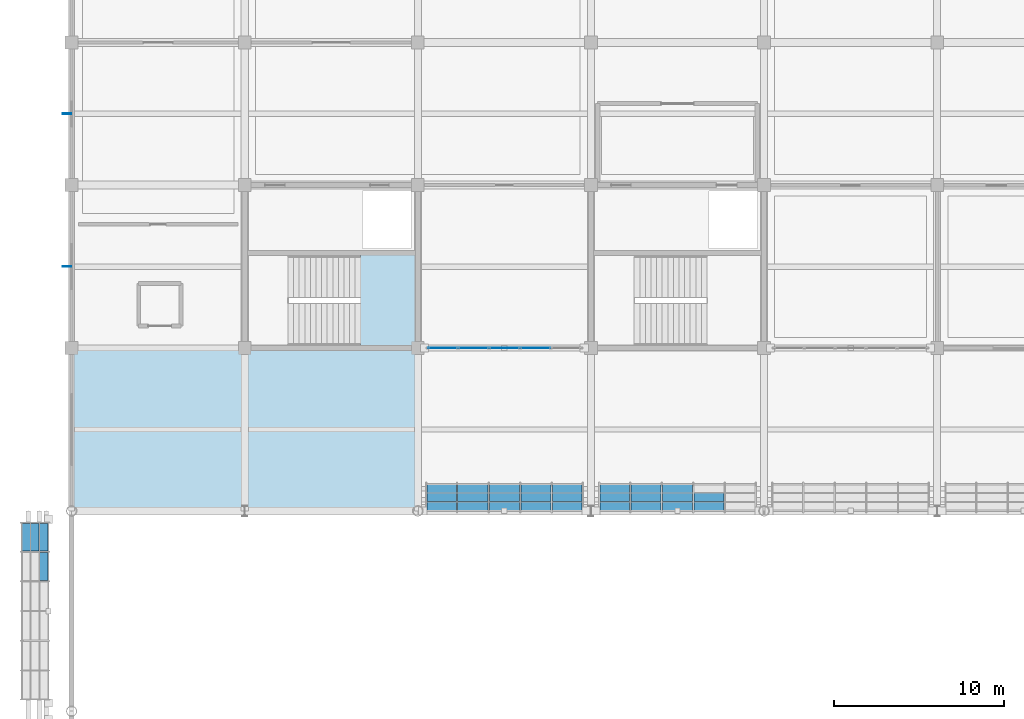
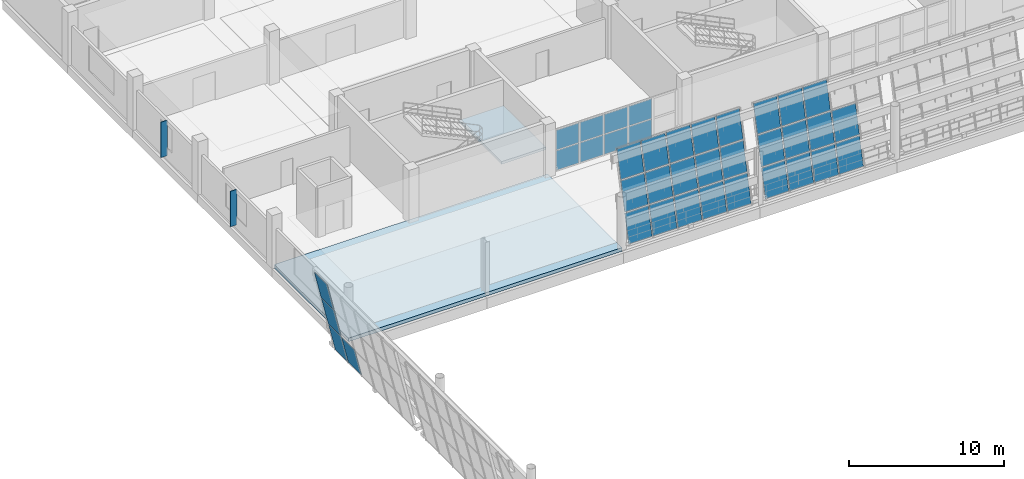
# One storey, part 106 of 157: 40 plates, 2 slabs, 5 elements without a shape of their own.
"""IFC4 building model written with IfcOpenShell, lengths in metres."""

from ifc_helpers import new_model, si_unit, direction, frame, origin, origin_2d, place, context, subcontext, project, spatial, polyline, rectangle, outline, extrude, material, layer, layer_set, type_object, element, aggregate, save


model = new_model("IFC4")

# Units and contexts
model_context = context("Model", 3, precision=1e-05, world=origin(), true_north=direction((0.0, 1.0)))
body_context = subcontext(model_context, "Body", "Model", "MODEL_VIEW")
ifc_project = project(units=[si_unit("LENGTHUNIT", "METRE"), si_unit("AREAUNIT", "SQUARE_METRE"), si_unit("VOLUMEUNIT", "CUBIC_METRE"), si_unit("PLANEANGLEUNIT", "RADIAN"), si_unit("MASSUNIT", "GRAM", prefix="KILO")], contexts=[model_context])

# Site, building, storey
site_placement = place(None, origin())
site = spatial("IfcSite", under=ifc_project, at=site_placement, CompositionType="ELEMENT")
building_placement = place(site_placement, origin())
building = spatial("IfcBuilding", under=site, at=building_placement, Name="Brelvane Convention Centre", CompositionType="ELEMENT")
storey_placement = place(building_placement, frame((0.0, 0.0, 10.800048828125)))
storey = spatial("IfcBuildingStorey", under=building, at=storey_placement, Name="L02", CompositionType="ELEMENT", Elevation=10.800048828125)

# Curtain wall, plates
ifc_material_1 = material(Name="Anodised Aluminium Alloy 6063-T6", Category="aluminium")
curtain_wall_type_1 = type_object("IfcCurtainWallType", Name="Curtain Wall CW-COURT", PredefinedType="USERDEFINED", material=ifc_material_1)
curtain_wall_1_placement = place(storey_placement, origin())
curtain_wall_1 = element("IfcCurtainWall", 1, at=curtain_wall_1_placement, inside=storey, type_object=curtain_wall_type_1, Name="Curtain Wall CW-COURT L02-V4S-03", ObjectType="UNITISED", PredefinedType="USERDEFINED")
ifc_material_2 = material(Name="Double Glazed Low-E Laminated Unit")
ifc_layer_1 = layer(ifc_material_2, 0.031982421875)
ifc_layer_set_1 = layer_set([ifc_layer_1], Name="Double Glazed Low-E Laminated Unit")
plate_type_1 = type_object("IfcPlateType", Name="Curtain Panel CW-PG1", PredefinedType="CURTAIN_PANEL", material=ifc_layer_set_1)
plate_1_placement = place(storey_placement, frame((21.878662109375, 109.199951171875, 0.070068359375), z_axis=(0.0, 0.0, 1.0), x_axis=(1.0, 0.0, 0.0)))
plate_1 = element("IfcPlate", 2, at=plate_1_placement, type_object=plate_type_1, Name="CW-COURT panel 1.1", PredefinedType="CURTAIN_PANEL", context=body_context, shape_type="SweptSolid", body=[
    extrude(rectangle(XDim=1.70751953125, YDim=0.031982421875, at=origin_2d()), origin(), (0.0, 0.0, 1.0), 1.544921875),
])
plate_2_placement = place(storey_placement, frame((21.878662109375, 109.199951171875, 1.68505859375), z_axis=(0.0, 0.0, 1.0), x_axis=(1.0, 0.0, 0.0)))
plate_2 = element("IfcPlate", 3, at=plate_2_placement, type_object=plate_type_1, Name="CW-COURT panel 1.2", PredefinedType="CURTAIN_PANEL", context=body_context, shape_type="SweptSolid", body=[
    extrude(rectangle(XDim=1.70751953125, YDim=0.031982421875, at=origin_2d()), origin(), (0.0, 0.0, 1.0), 1.544921875),
])
plate_3_placement = place(storey_placement, frame((23.679931640625, 109.199951171875, 0.070068359375), z_axis=(0.0, 0.0, 1.0), x_axis=(1.0, 0.0, 0.0)))
plate_3 = element("IfcPlate", 4, at=plate_3_placement, type_object=plate_type_1, Name="CW-COURT panel 2.1", PredefinedType="CURTAIN_PANEL", context=body_context, shape_type="SweptSolid", body=[
    extrude(rectangle(XDim=1.7451171875, YDim=0.031982421875, at=origin_2d()), origin(), (0.0, 0.0, 1.0), 1.544921875),
])
plate_4_placement = place(storey_placement, frame((23.679931640625, 109.199951171875, 1.68505859375), z_axis=(0.0, 0.0, 1.0), x_axis=(1.0, 0.0, 0.0)))
plate_4 = element("IfcPlate", 5, at=plate_4_placement, type_object=plate_type_1, Name="CW-COURT panel 2.2", PredefinedType="CURTAIN_PANEL", context=body_context, shape_type="SweptSolid", body=[
    extrude(rectangle(XDim=1.7451171875, YDim=0.031982421875, at=origin_2d()), origin(), (0.0, 0.0, 1.0), 1.544921875),
])
plate_5_placement = place(storey_placement, frame((25.5, 109.199951171875, 0.070068359375), z_axis=(0.0, 0.0, 1.0), x_axis=(1.0, 0.0, 0.0)))
plate_5 = element("IfcPlate", 6, at=plate_5_placement, type_object=plate_type_1, Name="CW-COURT panel 3.1", PredefinedType="CURTAIN_PANEL", context=body_context, shape_type="SweptSolid", body=[
    extrude(rectangle(XDim=1.7451171875, YDim=0.031982421875, at=origin_2d()), origin(), (0.0, 0.0, 1.0), 1.544921875),
])
plate_6_placement = place(storey_placement, frame((25.5, 109.199951171875, 1.68505859375), z_axis=(0.0, 0.0, 1.0), x_axis=(1.0, 0.0, 0.0)))
plate_6 = element("IfcPlate", 7, at=plate_6_placement, type_object=plate_type_1, Name="CW-COURT panel 3.2", PredefinedType="CURTAIN_PANEL", context=body_context, shape_type="SweptSolid", body=[
    extrude(rectangle(XDim=1.7451171875, YDim=0.031982421875, at=origin_2d()), origin(), (0.0, 0.0, 1.0), 1.544921875),
])
plate_7_placement = place(storey_placement, frame((27.320068359375, 109.199951171875, 0.070068359375), z_axis=(0.0, 0.0, 1.0), x_axis=(1.0, 0.0, 0.0)))
plate_7 = element("IfcPlate", 8, at=plate_7_placement, type_object=plate_type_1, Name="CW-COURT panel 4.1", PredefinedType="CURTAIN_PANEL", context=body_context, shape_type="SweptSolid", body=[
    extrude(rectangle(XDim=1.7451171875, YDim=0.031982421875, at=origin_2d()), origin(), (0.0, 0.0, 1.0), 1.544921875),
])
plate_8_placement = place(storey_placement, frame((27.320068359375, 109.199951171875, 1.68505859375), z_axis=(0.0, 0.0, 1.0), x_axis=(1.0, 0.0, 0.0)))
plate_8 = element("IfcPlate", 9, at=plate_8_placement, type_object=plate_type_1, Name="CW-COURT panel 4.2", PredefinedType="CURTAIN_PANEL", context=body_context, shape_type="SweptSolid", body=[
    extrude(rectangle(XDim=1.7451171875, YDim=0.031982421875, at=origin_2d()), origin(), (0.0, 0.0, 1.0), 1.544921875),
])
aggregate(curtain_wall_1, [plate_1, plate_2, plate_3, plate_4, plate_5, plate_6, plate_7, plate_8])

ifc_material_3 = material(Name="Anodised Aluminium Alloy 6063-T6", Category="aluminium")
curtain_wall_type_2 = type_object("IfcCurtainWallType", Name="Curtain Wall CW-HULL-S", PredefinedType="USERDEFINED", material=ifc_material_3)
curtain_wall_2_placement = place(storey_placement, origin())
curtain_wall_2 = element("IfcCurtainWall", 10, at=curtain_wall_2_placement, inside=storey, type_object=curtain_wall_type_2, Name="Curtain Wall CW-HULL-S L02-HULL-W-L02-6", ObjectType="UNITISED", PredefinedType="USERDEFINED")
ifc_material_4 = material(Name="Double Glazed Low-E Laminated Unit")
ifc_layer_2 = layer(ifc_material_4, 0.0380859375)
ifc_layer_set_2 = layer_set([ifc_layer_2], Name="Double Glazed Low-E Laminated Unit")
plate_type_2 = type_object("IfcPlateType", Name="Curtain Panel CW-PG2", PredefinedType="CURTAIN_PANEL", material=ifc_layer_set_2)
plate_9_placement = place(storey_placement, frame((-1.89599609375, 97.237548828125, 2.284912109375), z_axis=(0.973585642401, 0.0, 0.228322134079), x_axis=(0.0, 1.0, 0.0)))
plate_9 = element("IfcPlate", 11, at=plate_9_placement, type_object=plate_type_2, Name="CW-HULL-S panel 6.2", PredefinedType="CURTAIN_PANEL", context=body_context, shape_type="SweptSolid", body=[
    extrude(outline(polyline([(0.0, 0.0), (1.637451171875, 0.0), (1.637451171875, 2.2390753783596367), (0.0, 2.2390753783596367), (0.0, 0.0)])), origin(), (0.0, 0.0, -1.0), 0.0380859375),
])
plate_10_placement = place(storey_placement, frame((-2.423583984375, 97.237548828125, 4.534912109375), z_axis=(0.973572440639, 0.0, 0.228378420232), x_axis=(0.0, 1.0, 0.0)))
plate_10 = element("IfcPlate", 12, at=plate_10_placement, type_object=plate_type_2, Name="CW-HULL-S panel 6.3", PredefinedType="CURTAIN_PANEL", context=body_context, shape_type="SweptSolid", body=[
    extrude(outline(polyline([(0.0, 0.0), (1.637451171875, 0.0), (1.637451171875, 2.203245944227275), (0.0, 2.203245944227275), (0.0, 0.0)])), origin(), (0.0, 0.0, -1.0), 0.0380859375),
])

ifc_material_5 = material(Name="Anodised Aluminium Alloy 6063-T6", Category="aluminium")
curtain_wall_type_3 = type_object("IfcCurtainWallType", Name="Curtain Wall CW-HULL-N", PredefinedType="USERDEFINED", material=ifc_material_5)
curtain_wall_3_placement = place(storey_placement, origin())
curtain_wall_3 = element("IfcCurtainWall", 13, at=curtain_wall_3_placement, inside=storey, type_object=curtain_wall_type_3, Name="Curtain Wall CW-HULL-N L02-V1N-HULL-03", ObjectType="UNITISED", PredefinedType="USERDEFINED")
plate_11_placement = place(storey_placement, frame((20.929931640625, 100.13720703125, 2.2900390625), z_axis=(0.0, -0.973595011737, 0.22828217872), x_axis=(1.0, 0.0, 0.0)))
plate_11 = element("IfcPlate", 14, at=plate_11_placement, type_object=plate_type_2, Name="CW-HULL-N panel 1.2", PredefinedType="CURTAIN_PANEL", context=body_context, shape_type="SweptSolid", body=[
    extrude(outline(polyline([(0.0, 0.0), (1.739990234375, 0.0), (1.739990234375, 2.2287725890550485), (0.0, 2.2287725890550485), (0.0, 0.0)])), origin(), (0.0, 0.0, -1.0), 0.0380859375),
])
plate_12_placement = place(storey_placement, frame((20.929931640625, 100.664794921875, 4.5400390625), z_axis=(0.0, -0.973558945432, 0.228435942377), x_axis=(1.0, 0.0, 0.0)))
plate_12 = element("IfcPlate", 15, at=plate_12_placement, type_object=plate_type_2, Name="CW-HULL-N panel 1.3", PredefinedType="CURTAIN_PANEL", context=body_context, shape_type="SweptSolid", body=[
    extrude(outline(polyline([(0.0, 0.0), (1.739990234375, 0.0), (1.739990234375, 2.18772866552563), (0.0, 2.18772866552563), (0.0, 0.0)])), origin(), (0.0, 0.0, -1.0), 0.0380859375),
])
plate_13_placement = place(storey_placement, frame((22.75, 100.13720703125, 2.2900390625), z_axis=(0.0, -0.973595011737, 0.22828217872), x_axis=(1.0, 0.0, 0.0)))
plate_13 = element("IfcPlate", 16, at=plate_13_placement, type_object=plate_type_2, Name="CW-HULL-N panel 2.2", PredefinedType="CURTAIN_PANEL", context=body_context, shape_type="SweptSolid", body=[
    extrude(outline(polyline([(0.0, 0.0), (1.780029296875, 0.0), (1.780029296875, 2.2287725890550485), (0.0, 2.2287725890550485), (0.0, 0.0)])), origin(), (0.0, 0.0, -1.0), 0.0380859375),
])
plate_14_placement = place(storey_placement, frame((22.75, 100.664794921875, 4.5400390625), z_axis=(0.0, -0.973558945432, 0.228435942377), x_axis=(1.0, 0.0, 0.0)))
plate_14 = element("IfcPlate", 17, at=plate_14_placement, type_object=plate_type_2, Name="CW-HULL-N panel 2.3", PredefinedType="CURTAIN_PANEL", context=body_context, shape_type="SweptSolid", body=[
    extrude(outline(polyline([(0.0, 0.0), (1.780029296875, 0.0), (1.780029296875, 2.18772866552563), (0.0, 2.18772866552563), (0.0, 0.0)])), origin(), (0.0, 0.0, -1.0), 0.0380859375),
])
plate_15_placement = place(storey_placement, frame((24.610107421875, 100.13720703125, 2.2900390625), z_axis=(0.0, -0.973595011737, 0.22828217872), x_axis=(1.0, 0.0, 0.0)))
plate_15 = element("IfcPlate", 18, at=plate_15_placement, type_object=plate_type_2, Name="CW-HULL-N panel 3.2", PredefinedType="CURTAIN_PANEL", context=body_context, shape_type="SweptSolid", body=[
    extrude(outline(polyline([(0.0, 0.0), (1.77978515625, 0.0), (1.77978515625, 2.2287725890550485), (0.0, 2.2287725890550485), (0.0, 0.0)])), origin(), (0.0, 0.0, -1.0), 0.0380859375),
])
plate_16_placement = place(storey_placement, frame((24.610107421875, 100.664794921875, 4.5400390625), z_axis=(0.0, -0.973558945432, 0.228435942377), x_axis=(1.0, 0.0, 0.0)))
plate_16 = element("IfcPlate", 19, at=plate_16_placement, type_object=plate_type_2, Name="CW-HULL-N panel 3.3", PredefinedType="CURTAIN_PANEL", context=body_context, shape_type="SweptSolid", body=[
    extrude(outline(polyline([(0.0, 0.0), (1.77978515625, 0.0), (1.77978515625, 2.18772866552563), (0.0, 2.18772866552563), (0.0, 0.0)])), origin(), (0.0, 0.0, -1.0), 0.0380859375),
])
plate_17_placement = place(storey_placement, frame((26.469970703125, 100.13720703125, 2.2900390625), z_axis=(0.0, -0.973595011737, 0.22828217872), x_axis=(1.0, 0.0, 0.0)))
plate_17 = element("IfcPlate", 20, at=plate_17_placement, type_object=plate_type_2, Name="CW-HULL-N panel 4.2", PredefinedType="CURTAIN_PANEL", context=body_context, shape_type="SweptSolid", body=[
    extrude(outline(polyline([(0.0, 0.0), (1.780029296875, 0.0), (1.780029296875, 2.2287725890550485), (0.0, 2.2287725890550485), (0.0, 0.0)])), origin(), (0.0, 0.0, -1.0), 0.0380859375),
])
plate_18_placement = place(storey_placement, frame((26.469970703125, 100.664794921875, 4.5400390625), z_axis=(0.0, -0.973558945432, 0.228435942377), x_axis=(1.0, 0.0, 0.0)))
plate_18 = element("IfcPlate", 21, at=plate_18_placement, type_object=plate_type_2, Name="CW-HULL-N panel 4.3", PredefinedType="CURTAIN_PANEL", context=body_context, shape_type="SweptSolid", body=[
    extrude(outline(polyline([(0.0, 0.0), (1.780029296875, 0.0), (1.780029296875, 2.18772866552563), (0.0, 2.18772866552563), (0.0, 0.0)])), origin(), (0.0, 0.0, -1.0), 0.0380859375),
])
plate_19_placement = place(storey_placement, frame((28.330078125, 100.13720703125, 2.2900390625), z_axis=(0.0, -0.973595011737, 0.22828217872), x_axis=(1.0, 0.0, 0.0)))
plate_19 = element("IfcPlate", 22, at=plate_19_placement, type_object=plate_type_2, Name="CW-HULL-N panel 5.2", PredefinedType="CURTAIN_PANEL", context=body_context, shape_type="SweptSolid", body=[
    extrude(outline(polyline([(0.0, 0.0), (1.739990234375, 0.0), (1.739990234375, 2.2287725890550485), (0.0, 2.2287725890550485), (0.0, 0.0)])), origin(), (0.0, 0.0, -1.0), 0.0380859375),
])
plate_20_placement = place(storey_placement, frame((28.330078125, 100.664794921875, 4.5400390625), z_axis=(0.0, -0.973558945432, 0.228435942377), x_axis=(1.0, 0.0, 0.0)))
plate_20 = element("IfcPlate", 23, at=plate_20_placement, type_object=plate_type_2, Name="CW-HULL-N panel 5.3", PredefinedType="CURTAIN_PANEL", context=body_context, shape_type="SweptSolid", body=[
    extrude(outline(polyline([(0.0, 0.0), (1.739990234375, 0.0), (1.739990234375, 2.18772866552563), (0.0, 2.18772866552563), (0.0, 0.0)])), origin(), (0.0, 0.0, -1.0), 0.0380859375),
])

curtain_wall_4_placement = place(storey_placement, origin())
curtain_wall_4 = element("IfcCurtainWall", 24, at=curtain_wall_4_placement, inside=storey, type_object=curtain_wall_type_3, Name="Curtain Wall CW-HULL-N L02-V1N-HULL-04", ObjectType="UNITISED", PredefinedType="USERDEFINED")
plate_21_placement = place(storey_placement, frame((31.1298828125, 100.13720703125, 2.2900390625), z_axis=(0.0, -0.973595011737, 0.22828217872), x_axis=(1.0, 0.0, 0.0)))
plate_21 = element("IfcPlate", 25, at=plate_21_placement, type_object=plate_type_2, Name="CW-HULL-N panel 1.2", PredefinedType="CURTAIN_PANEL", context=body_context, shape_type="SweptSolid", body=[
    extrude(outline(polyline([(0.0, 0.0), (1.740234375, 0.0), (1.740234375, 2.2287725890550485), (0.0, 2.2287725890550485), (0.0, 0.0)])), origin(), (0.0, 0.0, -1.0), 0.0380859375),
])
plate_22_placement = place(storey_placement, frame((31.1298828125, 100.664794921875, 4.5400390625), z_axis=(0.0, -0.973558945432, 0.228435942377), x_axis=(1.0, 0.0, 0.0)))
plate_22 = element("IfcPlate", 26, at=plate_22_placement, type_object=plate_type_2, Name="CW-HULL-N panel 1.3", PredefinedType="CURTAIN_PANEL", context=body_context, shape_type="SweptSolid", body=[
    extrude(outline(polyline([(0.0, 0.0), (1.740234375, 0.0), (1.740234375, 2.18772866552563), (0.0, 2.18772866552563), (0.0, 0.0)])), origin(), (0.0, 0.0, -1.0), 0.0380859375),
])
plate_23_placement = place(storey_placement, frame((32.949951171875, 100.13720703125, 2.2900390625), z_axis=(0.0, -0.973595011737, 0.22828217872), x_axis=(1.0, 0.0, 0.0)))
plate_23 = element("IfcPlate", 27, at=plate_23_placement, type_object=plate_type_2, Name="CW-HULL-N panel 2.2", PredefinedType="CURTAIN_PANEL", context=body_context, shape_type="SweptSolid", body=[
    extrude(outline(polyline([(0.0, 0.0), (1.780029296875, 0.0), (1.780029296875, 2.2287725890550485), (0.0, 2.2287725890550485), (0.0, 0.0)])), origin(), (0.0, 0.0, -1.0), 0.0380859375),
])
plate_24_placement = place(storey_placement, frame((32.949951171875, 100.664794921875, 4.5400390625), z_axis=(0.0, -0.973558945432, 0.228435942377), x_axis=(1.0, 0.0, 0.0)))
plate_24 = element("IfcPlate", 28, at=plate_24_placement, type_object=plate_type_2, Name="CW-HULL-N panel 2.3", PredefinedType="CURTAIN_PANEL", context=body_context, shape_type="SweptSolid", body=[
    extrude(outline(polyline([(0.0, 0.0), (1.780029296875, 0.0), (1.780029296875, 2.18772866552563), (0.0, 2.18772866552563), (0.0, 0.0)])), origin(), (0.0, 0.0, -1.0), 0.0380859375),
])
plate_25_placement = place(storey_placement, frame((34.81005859375, 100.13720703125, 2.2900390625), z_axis=(0.0, -0.973595011737, 0.22828217872), x_axis=(1.0, 0.0, 0.0)))
plate_25 = element("IfcPlate", 29, at=plate_25_placement, type_object=plate_type_2, Name="CW-HULL-N panel 3.2", PredefinedType="CURTAIN_PANEL", context=body_context, shape_type="SweptSolid", body=[
    extrude(outline(polyline([(0.0, 0.0), (1.780029296875, 0.0), (1.780029296875, 2.2287725890550485), (0.0, 2.2287725890550485), (0.0, 0.0)])), origin(), (0.0, 0.0, -1.0), 0.0380859375),
])
plate_26_placement = place(storey_placement, frame((34.81005859375, 100.664794921875, 4.5400390625), z_axis=(0.0, -0.973558945432, 0.228435942377), x_axis=(1.0, 0.0, 0.0)))
plate_26 = element("IfcPlate", 30, at=plate_26_placement, type_object=plate_type_2, Name="CW-HULL-N panel 3.3", PredefinedType="CURTAIN_PANEL", context=body_context, shape_type="SweptSolid", body=[
    extrude(outline(polyline([(0.0, 0.0), (1.780029296875, 0.0), (1.780029296875, 2.18772866552563), (0.0, 2.18772866552563), (0.0, 0.0)])), origin(), (0.0, 0.0, -1.0), 0.0380859375),
])
plate_27_placement = place(storey_placement, frame((36.669921875, 100.13720703125, 2.2900390625), z_axis=(0.0, -0.973595011737, 0.22828217872), x_axis=(1.0, 0.0, 0.0)))
plate_27 = element("IfcPlate", 31, at=plate_27_placement, type_object=plate_type_2, Name="CW-HULL-N panel 4.2", PredefinedType="CURTAIN_PANEL", context=body_context, shape_type="SweptSolid", body=[
    extrude(outline(polyline([(0.0, 0.0), (1.780029296875, 0.0), (1.780029296875, 2.2287725890550485), (0.0, 2.2287725890550485), (0.0, 0.0)])), origin(), (0.0, 0.0, -1.0), 0.0380859375),
])

# Plate
ifc_material_6 = material(Name="Patinated Copper-Bronze Alloy C22000")
ifc_layer_3 = layer(ifc_material_6, 0.048095703125)
ifc_layer_set_3 = layer_set([ifc_layer_3], Name="Patinated Copper-Bronze Alloy C22000")
plate_type_3 = type_object("IfcPlateType", Name="Curtain Panel CW-PS1", PredefinedType="CURTAIN_PANEL", material=ifc_layer_set_3)
plate_28_placement = place(storey_placement, frame((20.929931640625, 99.61865234375, 0.079833984375), z_axis=(0.0, -0.973564767867, 0.228411126627), x_axis=(1.0, 0.0, 0.0)))
plate_28 = element("IfcPlate", 32, at=plate_28_placement, type_object=plate_type_3, Name="CW-HULL-N panel 1.1", PredefinedType="CURTAIN_PANEL", context=body_context, shape_type="SweptSolid", body=[
    extrude(outline(polyline([(0.0, 0.0), (1.739990234375, 0.0), (1.739990234375, 2.1879663515258274), (0.0, 2.1879663515258274), (0.0, 0.0)])), origin(), (0.0, 0.0, -1.0), 0.0380859375),
])

plate_29_placement = place(storey_placement, frame((22.75, 99.61865234375, 0.079833984375), z_axis=(0.0, -0.973564767867, 0.228411126627), x_axis=(1.0, 0.0, 0.0)))
plate_29 = element("IfcPlate", 33, at=plate_29_placement, type_object=plate_type_3, Name="CW-HULL-N panel 2.1", PredefinedType="CURTAIN_PANEL", context=body_context, shape_type="SweptSolid", body=[
    extrude(outline(polyline([(0.0, 0.0), (1.780029296875, 0.0), (1.780029296875, 2.1879663515258274), (0.0, 2.1879663515258274), (0.0, 0.0)])), origin(), (0.0, 0.0, -1.0), 0.0380859375),
])

plate_30_placement = place(storey_placement, frame((24.610107421875, 99.61865234375, 0.079833984375), z_axis=(0.0, -0.973564767867, 0.228411126627), x_axis=(1.0, 0.0, 0.0)))
plate_30 = element("IfcPlate", 34, at=plate_30_placement, type_object=plate_type_3, Name="CW-HULL-N panel 3.1", PredefinedType="CURTAIN_PANEL", context=body_context, shape_type="SweptSolid", body=[
    extrude(outline(polyline([(0.0, 0.0), (1.77978515625, 0.0), (1.77978515625, 2.187966351525827), (0.0, 2.187966351525827), (0.0, 0.0)])), origin(), (0.0, 0.0, -1.0), 0.0380859375),
])

plate_31_placement = place(storey_placement, frame((26.469970703125, 99.61865234375, 0.079833984375), z_axis=(0.0, -0.973564767867, 0.228411126627), x_axis=(1.0, 0.0, 0.0)))
plate_31 = element("IfcPlate", 35, at=plate_31_placement, type_object=plate_type_3, Name="CW-HULL-N panel 4.1", PredefinedType="CURTAIN_PANEL", context=body_context, shape_type="SweptSolid", body=[
    extrude(outline(polyline([(0.0, 0.0), (1.780029296875, 0.0), (1.780029296875, 2.1879663515258274), (0.0, 2.1879663515258274), (0.0, 0.0)])), origin(), (0.0, 0.0, -1.0), 0.0380859375),
])

plate_32_placement = place(storey_placement, frame((28.330078125, 99.61865234375, 0.079833984375), z_axis=(0.0, -0.973564767867, 0.228411126627), x_axis=(1.0, 0.0, 0.0)))
plate_32 = element("IfcPlate", 36, at=plate_32_placement, type_object=plate_type_3, Name="CW-HULL-N panel 5.1", PredefinedType="CURTAIN_PANEL", context=body_context, shape_type="SweptSolid", body=[
    extrude(outline(polyline([(0.0, 0.0), (1.739990234375, 0.0), (1.739990234375, 2.1879663515258274), (0.0, 2.1879663515258274), (0.0, 0.0)])), origin(), (0.0, 0.0, -1.0), 0.0380859375),
])

aggregate(curtain_wall_3, [plate_28, plate_11, plate_12, plate_29, plate_13, plate_14, plate_30, plate_15, plate_16, plate_31, plate_17, plate_18, plate_32, plate_19, plate_20])

plate_33_placement = place(storey_placement, frame((31.1298828125, 99.61865234375, 0.079833984375), z_axis=(0.0, -0.973564767867, 0.228411126627), x_axis=(1.0, 0.0, 0.0)))
plate_33 = element("IfcPlate", 37, at=plate_33_placement, type_object=plate_type_3, Name="CW-HULL-N panel 1.1", PredefinedType="CURTAIN_PANEL", context=body_context, shape_type="SweptSolid", body=[
    extrude(outline(polyline([(0.0, 0.0), (1.740234375, 0.0), (1.740234375, 2.1879663515258274), (0.0, 2.1879663515258274), (0.0, 0.0)])), origin(), (0.0, 0.0, -1.0), 0.0380859375),
])

plate_34_placement = place(storey_placement, frame((32.949951171875, 99.61865234375, 0.079833984375), z_axis=(0.0, -0.973564767867, 0.228411126627), x_axis=(1.0, 0.0, 0.0)))
plate_34 = element("IfcPlate", 38, at=plate_34_placement, type_object=plate_type_3, Name="CW-HULL-N panel 2.1", PredefinedType="CURTAIN_PANEL", context=body_context, shape_type="SweptSolid", body=[
    extrude(outline(polyline([(0.0, 0.0), (1.780029296875, 0.0), (1.780029296875, 2.1879663515258274), (0.0, 2.1879663515258274), (0.0, 0.0)])), origin(), (0.0, 0.0, -1.0), 0.0380859375),
])

plate_35_placement = place(storey_placement, frame((34.81005859375, 99.61865234375, 0.079833984375), z_axis=(0.0, -0.973564767867, 0.228411126627), x_axis=(1.0, 0.0, 0.0)))
plate_35 = element("IfcPlate", 39, at=plate_35_placement, type_object=plate_type_3, Name="CW-HULL-N panel 3.1", PredefinedType="CURTAIN_PANEL", context=body_context, shape_type="SweptSolid", body=[
    extrude(outline(polyline([(0.0, 0.0), (1.780029296875, 0.0), (1.780029296875, 2.1879663515258274), (0.0, 2.1879663515258274), (0.0, 0.0)])), origin(), (0.0, 0.0, -1.0), 0.0380859375),
])

plate_36_placement = place(storey_placement, frame((36.669921875, 99.61865234375, 0.079833984375), z_axis=(0.0, -0.973564767867, 0.228411126627), x_axis=(1.0, 0.0, 0.0)))
plate_36 = element("IfcPlate", 40, at=plate_36_placement, type_object=plate_type_3, Name="CW-HULL-N panel 4.1", PredefinedType="CURTAIN_PANEL", context=body_context, shape_type="SweptSolid", body=[
    extrude(outline(polyline([(0.0, 0.0), (1.780029296875, 0.0), (1.780029296875, 2.1879663515258274), (0.0, 2.1879663515258274), (0.0, 0.0)])), origin(), (0.0, 0.0, -1.0), 0.0380859375),
])

aggregate(curtain_wall_4, [plate_33, plate_21, plate_22, plate_34, plate_23, plate_24, plate_35, plate_25, plate_26, plate_36, plate_27])

ifc_material_7 = material(Name="Patinated Copper-Bronze Alloy C22000")
ifc_layer_4 = layer(ifc_material_7, 0.055908203125)
ifc_layer_set_4 = layer_set([ifc_layer_4], Name="Patinated Copper-Bronze Alloy C22000")
plate_type_4 = type_object("IfcPlateType", Name="Curtain Panel CW-PS2", PredefinedType="CURTAIN_PANEL", material=ifc_layer_set_4)
plate_37_placement = place(storey_placement, frame((-1.37646484375, 95.487548828125, 0.070068359375), z_axis=(0.973566660245, 0.0, 0.228403060531), x_axis=(0.0, 1.0, 0.0)))
plate_37 = element("IfcPlate", 41, at=plate_37_placement, type_object=plate_type_4, Name="CW-HULL-S panel 5.1", PredefinedType="CURTAIN_PANEL", context=body_context, shape_type="SweptSolid", body=[
    extrude(outline(polyline([(0.0, 0.0), (1.675048828125, 0.0), (1.675048828125, 2.2030082563487112), (0.0, 2.2030082563487112), (0.0, 0.0)])), origin(), (0.0, 0.0, -1.0), 0.0380859375),
])

plate_38_placement = place(storey_placement, frame((-1.37646484375, 97.237548828125, 0.070068359375), z_axis=(0.973566660245, 0.0, 0.228403060531), x_axis=(0.0, 1.0, 0.0)))
plate_38 = element("IfcPlate", 42, at=plate_38_placement, type_object=plate_type_4, Name="CW-HULL-S panel 6.1", PredefinedType="CURTAIN_PANEL", context=body_context, shape_type="SweptSolid", body=[
    extrude(outline(polyline([(0.0, 0.0), (1.637451171875, 0.0), (1.637451171875, 2.203008256348711), (0.0, 2.203008256348711), (0.0, 0.0)])), origin(), (0.0, 0.0, -1.0), 0.0380859375),
])

aggregate(curtain_wall_2, [plate_37, plate_38, plate_9, plate_10])

# Plates
ifc_material_8 = material(Name="Patinated Copper-Bronze Alloy C22000")
ifc_layer_5 = layer(ifc_material_8, 0.0419921875)
ifc_layer_set_5 = layer_set([ifc_layer_5], Name="Patinated Copper-Bronze Alloy C22000")
plate_type_5 = type_object("IfcPlateType", Name="Monsoon Sun Fin FN-CU4", PredefinedType="USERDEFINED", material=ifc_layer_set_5)
for number, where, z_axis, x_axis, name in (
    (43, (-0.260009765625, 114.0, 0.25), (0.0, 0.0, 1.0), (1.0, 0.0, 0.0), "West Monsoon Fin L02-109"),
    (44, (-0.260009765625, 123.0, 0.25), (0.0, 0.0, 1.0), (1.0, 0.0, 0.0), "West Monsoon Fin L02-118"),
):
    element("IfcPlate", number, at=place(storey_placement, frame(where, z_axis=z_axis, x_axis=x_axis)), inside=storey, type_object=plate_type_5, Name=name, ObjectType="SHADING_DEVICE", PredefinedType="USERDEFINED", context=body_context, shape_type="SweptSolid", body=[
        extrude(rectangle(XDim=0.5, YDim=0.0419921875, at=origin_2d()), origin(), (0.0, 0.0, 1.0), 2.800048828125),
    ])

# Stair, slab
ifc_material_9 = material(Name="Concrete M40", Category="concrete")
stair_type = type_object("IfcStairType", Name="Exit Stair ST-CORE", PredefinedType="HALF_TURN_STAIR", material=ifc_material_9)
stair_placement = place(storey_placement, origin())
stair = element("IfcStair", 45, at=stair_placement, inside=storey, type_object=stair_type, Name="Exit Stair ST-06 (L02 to L03)", PredefinedType="HALF_TURN_STAIR")
ifc_material_10 = material(Name="Concrete M40", Category="concrete")
ifc_layer_6 = layer(ifc_material_10, 0.199951171875)
ifc_layer_set_6 = layer_set([ifc_layer_6], Name="Concrete M40")
slab_type_1 = type_object("IfcSlabType", Name="Stair Landing SL-LND-200", PredefinedType="LANDING", material=ifc_layer_set_6)
slab_1_placement = place(storey_placement, frame((0.0, 0.0, 1.89990234375)))
slab_1 = element("IfcSlab", 46, at=slab_1_placement, type_object=slab_type_1, Name="Stair ST-06 L02 Half Landing", PredefinedType="LANDING", context=body_context, shape_type="SweptSolid", body=[
    extrude(outline(polyline([(17.010009765625, 109.280029296875), (20.320068359375, 109.280029296875), (20.320068359375, 114.719970703125), (17.010009765625, 114.719970703125), (17.010009765625, 109.280029296875)])), origin(), (0.0, 0.0, 1.0), 0.199951171875),
])
aggregate(stair, [slab_1])

# Slab
ifc_material_11 = material(Name="Concrete M40", Category="concrete")
ifc_layer_7 = layer(ifc_material_11, 0.280029296875)
ifc_layer_set_7 = layer_set([ifc_layer_7], Name="Concrete M40")
slab_type_2 = type_object("IfcSlabType", Name="Structural Slab SL-FLR-280", PredefinedType="FLOOR", material=ifc_layer_set_7)
slab_2_placement = place(storey_placement, frame((0.0, 0.0, -0.280029296875)))
element("IfcSlab", 47, at=slab_2_placement, inside=storey, type_object=slab_type_2, Name="L02 Floor Slab MEET-L", PredefinedType="FLOOR", context=body_context, shape_type="SweptSolid", body=[
    extrude(outline(polyline([(0.0, 99.60009765625), (20.39990234375, 99.60009765625), (20.39990234375, 109.199951171875), (0.0, 109.199951171875), (0.0, 99.60009765625)])), origin(), (0.0, 0.0, 1.0), 0.280029296875),
])

save(model, "model.ifc")
